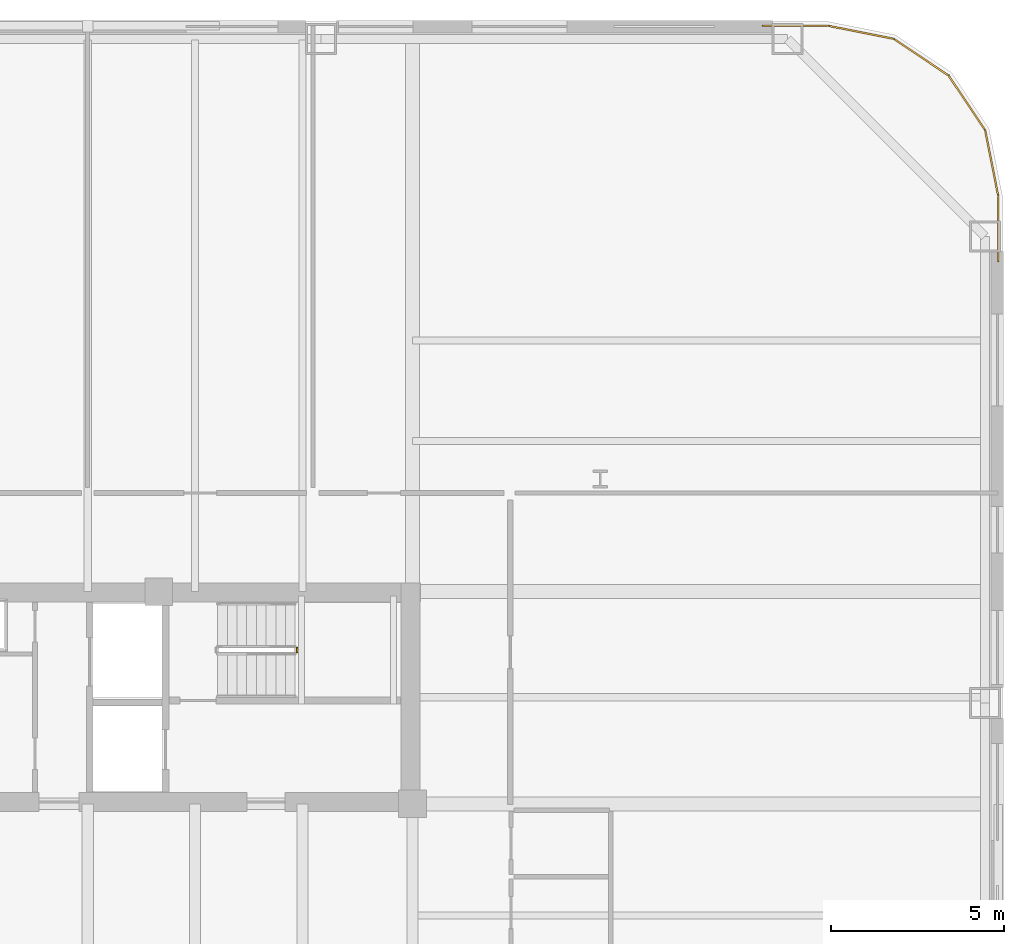
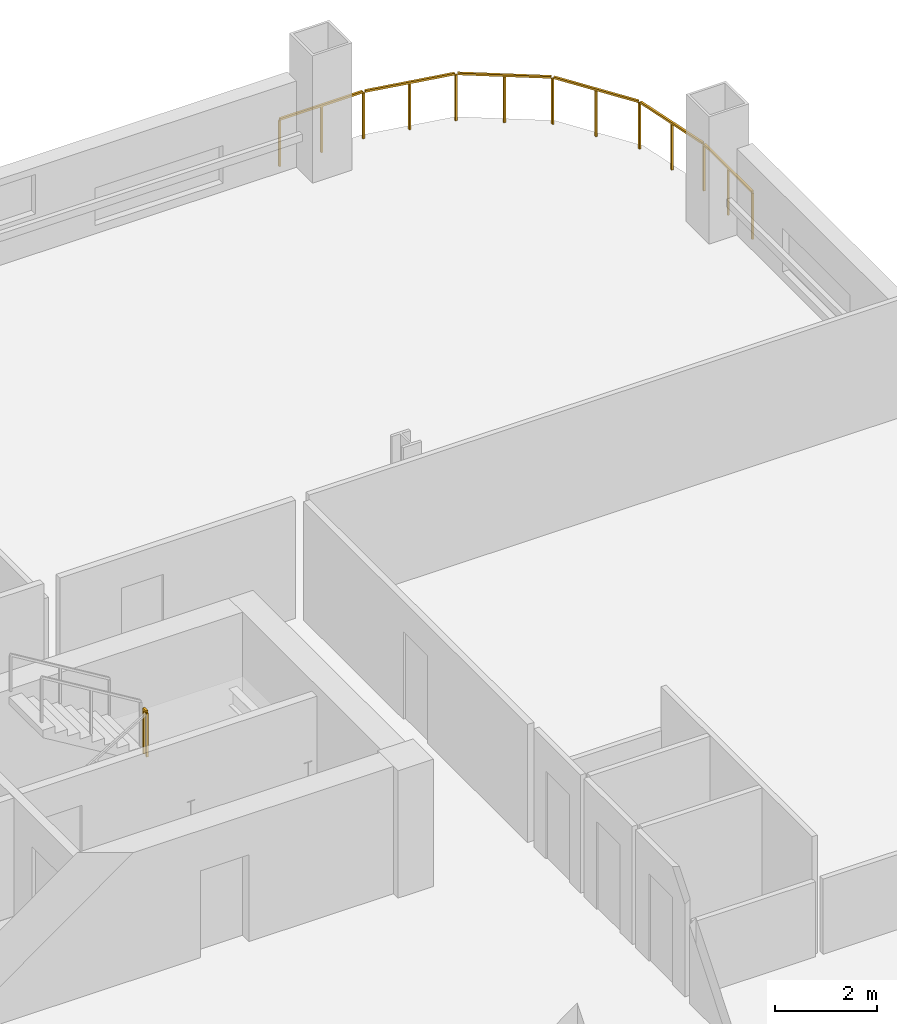
# One storey, part 12 of 12: 2 railings.
"""IFC4 building model written with IfcOpenShell, lengths in metres."""

from ifc_helpers import new_model, si_unit, direction, frame, origin, origin_2d, place, context, subcontext, project, spatial, rectangle, extrude, material, type_object, element, save


model = new_model("IFC4")

# Units and contexts
model_context = context("Model", 3, precision=1e-05, world=origin(), true_north=direction((0.0, 1.0)))
body_context = subcontext(model_context, "Body", "Model", "MODEL_VIEW")
ifc_project = project(units=[si_unit("LENGTHUNIT", "METRE"), si_unit("AREAUNIT", "SQUARE_METRE"), si_unit("VOLUMEUNIT", "CUBIC_METRE"), si_unit("PLANEANGLEUNIT", "RADIAN"), si_unit("MASSUNIT", "GRAM", prefix="KILO")], contexts=[model_context])

# Site, building, storey
site_placement = place(None, origin())
site = spatial("IfcSite", under=ifc_project, at=site_placement, CompositionType="ELEMENT")
building_placement = place(site_placement, origin())
building = spatial("IfcBuilding", under=site, at=building_placement, Name="Qhalaya Broadcast Tower", CompositionType="ELEMENT")
storey_placement = place(building_placement, frame((0.0, 0.0, 47.449951171875)))
storey = spatial("IfcBuildingStorey", under=building, at=storey_placement, Name="L13", CompositionType="ELEMENT", Elevation=47.449951171875)

# Railings
ifc_material = material(Name="Powder-Coated Galvanised Steel", Category="steel")
railing_type_1 = type_object("IfcRailingType", Name="Stair Well & Landing Guardrail 1100", PredefinedType="GUARDRAIL", material=ifc_material)
railing_1_placement = place(storey_placement, frame((6.0400390625, 8.199951171875, 1.525146484375)))
element("IfcRailing", 1, at=railing_1_placement, inside=storey, type_object=railing_type_1, Name="L13 ST-1 Stair Guard 2", PredefinedType="GUARDRAIL", context=body_context, shape_type="SweptSolid", body=[
    extrude(rectangle(XDim=0.048095703125, YDim=0.048095703125, at=origin_2d()), frame((0.0, 0.0, 1.076171875), z_axis=(0.0, 1.0, 0.0), x_axis=(-1.0, 0.0, 0.0)), (0.0, 0.0, 1.0), 0.1201171875),
    extrude(rectangle(XDim=0.0419921875, YDim=0.0419921875, at=origin_2d()), origin(), (0.0, 0.0, 1.0), 1.050048828125),
    extrude(rectangle(XDim=0.0419921875, YDim=0.0419921875, at=origin_2d()), frame((0.0, 0.1201171875, 0.0)), (0.0, 0.0, 1.0), 1.050048828125),
])
railing_type_2 = type_object("IfcRailingType", Name="Terrace, Sky-Pool & Lookout Glass Balustrade 1150", PredefinedType="BALUSTRADE", material=ifc_material)
railing_2_placement = place(storey_placement, frame((19.48193359375, 26.280029296875, 0.0)))
element("IfcRailing", 2, at=railing_2_placement, inside=storey, type_object=railing_type_2, Name="L13 Rounded Corner Perimeter Guard 04", PredefinedType="BALUSTRADE", context=body_context, shape_type="SweptSolid", body=[
    extrude(rectangle(XDim=0.048095703125, YDim=0.048095703125, at=origin_2d()), frame((0.0, 0.0, 1.1259765625), z_axis=(1.0, 0.0, 0.0), x_axis=(0.0, 1.0, 0.0)), (0.0, 0.0, 1.0), 1.87744140625),
    extrude(rectangle(XDim=0.048095703125, YDim=0.048095703125, at=origin_2d()), frame((1.9345703125, -0.005615234375, 1.1259765625), z_axis=(0.980795810058, -0.195037378397, 0.0), x_axis=(0.195037378397, 0.980795810058, 0.0)), (0.0, 0.0, 1.0), 1.857421875),
    extrude(rectangle(XDim=0.048095703125, YDim=0.048095703125, at=origin_2d()), frame((3.80859375, -0.3896484375, 1.1259765625), z_axis=(0.831477548332, -0.555558355728, 0.0), x_axis=(0.555558355728, 0.831477548332, 0.0)), (0.0, 0.0, 1.0), 1.845458984375),
    extrude(rectangle(XDim=0.048095703125, YDim=0.048095703125, at=origin_2d()), frame((5.38330078125, -1.454833984375, 1.1259765625), z_axis=(0.555558355728, -0.831477548332, 0.0), x_axis=(0.831477548332, 0.555558355728, 0.0)), (0.0, 0.0, 1.0), 1.845458984375),
    extrude(rectangle(XDim=0.048095703125, YDim=0.048095703125, at=origin_2d()), frame((6.43017578125, -3.041748046875, 1.1259765625), z_axis=(0.195037378397, -0.980795810058, 0.0), x_axis=(0.980795810058, 0.195037378397, 0.0)), (0.0, 0.0, 1.0), 1.857421875),
    extrude(rectangle(XDim=0.048095703125, YDim=0.048095703125, at=origin_2d()), frame((6.798095703125, -4.920654296875, 1.1259765625), z_axis=(0.0, -1.0, 0.0), x_axis=(1.0, 0.0, 0.0)), (0.0, 0.0, 1.0), 1.87744140625),
    extrude(rectangle(XDim=0.0419921875, YDim=0.0419921875, at=origin_2d()), origin(), (0.0, 0.0, 1.0), 1.099853515625),
    extrude(rectangle(XDim=0.0419921875, YDim=0.0419921875, at=origin_2d()), frame((0.953125, 0.0, 0.0)), (0.0, 0.0, 1.0), 1.099853515625),
    extrude(rectangle(XDim=0.0419921875, YDim=0.0419921875, at=origin_2d()), frame((1.90625, 0.0, 0.0)), (0.0, 0.0, 1.0), 1.099853515625),
    extrude(rectangle(XDim=0.0419921875, YDim=0.0419921875, at=origin_2d()), frame((2.845458984375, -0.186767578125, 0.0)), (0.0, 0.0, 1.0), 1.099853515625),
    extrude(rectangle(XDim=0.0419921875, YDim=0.0419921875, at=origin_2d()), frame((3.78466796875, -0.37353515625, 0.0)), (0.0, 0.0, 1.0), 1.099853515625),
    extrude(rectangle(XDim=0.0419921875, YDim=0.0419921875, at=origin_2d()), frame((4.575927734375, -0.90234375, 0.0)), (0.0, 0.0, 1.0), 1.099853515625),
    extrude(rectangle(XDim=0.0419921875, YDim=0.0419921875, at=origin_2d()), frame((5.3671875, -1.430908203125, 0.0)), (0.0, 0.0, 1.0), 1.099853515625),
    extrude(rectangle(XDim=0.0419921875, YDim=0.0419921875, at=origin_2d()), frame((5.89599609375, -2.22216796875, 0.0)), (0.0, 0.0, 1.0), 1.099853515625),
    extrude(rectangle(XDim=0.0419921875, YDim=0.0419921875, at=origin_2d()), frame((6.424560546875, -3.013427734375, 0.0)), (0.0, 0.0, 1.0), 1.099853515625),
    extrude(rectangle(XDim=0.0419921875, YDim=0.0419921875, at=origin_2d()), frame((6.611328125, -3.95263671875, 0.0)), (0.0, 0.0, 1.0), 1.099853515625),
    extrude(rectangle(XDim=0.0419921875, YDim=0.0419921875, at=origin_2d()), frame((6.798095703125, -4.891845703125, 0.0)), (0.0, 0.0, 1.0), 1.099853515625),
    extrude(rectangle(XDim=0.0419921875, YDim=0.0419921875, at=origin_2d()), frame((6.798095703125, -5.844970703125, 0.0)), (0.0, 0.0, 1.0), 1.099853515625),
    extrude(rectangle(XDim=0.0419921875, YDim=0.0419921875, at=origin_2d()), frame((6.798095703125, -6.798095703125, 0.0)), (0.0, 0.0, 1.0), 1.099853515625),
])

save(model, "model.ifc")
